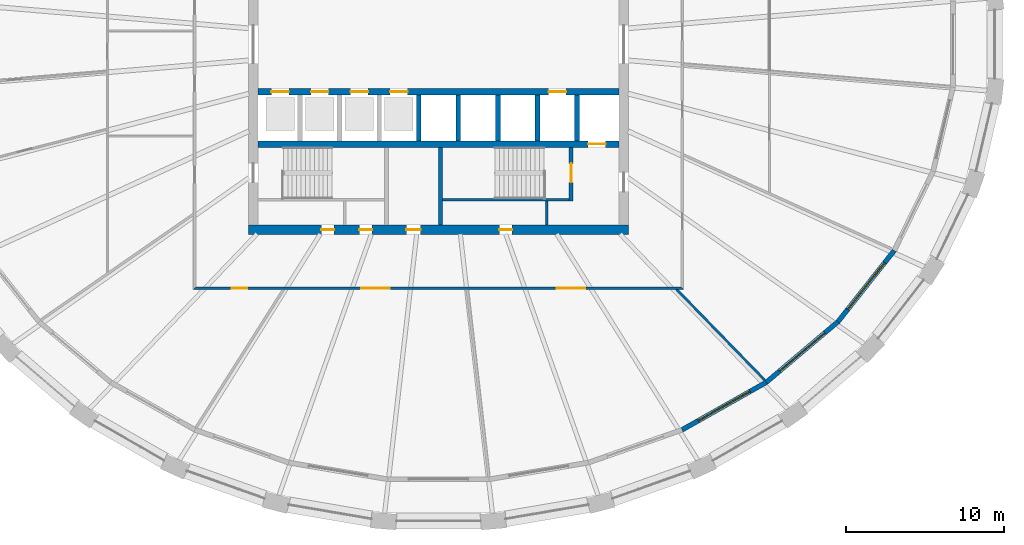
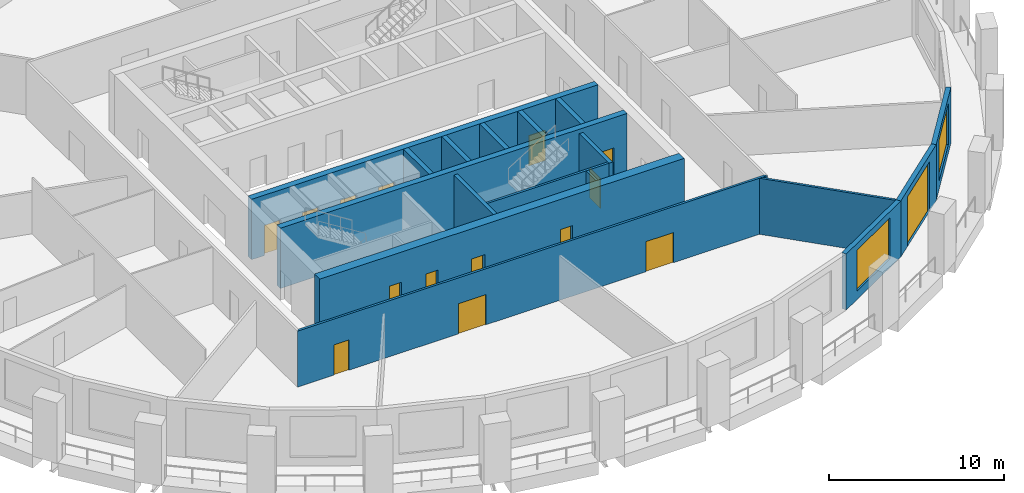
# One storey, part 4 of 10: 17 walls, 15 doors, 2 windows, 17 openings.
"""IFC4 building model written with IfcOpenShell, lengths in metres."""

from ifc_helpers import new_model, si_unit, direction, frame, frame_2d, origin, place, context, subcontext, project, spatial, polyline, rectangle, outline, extrude, material, layer, layer_set, type_object, element, fill, save


model = new_model("IFC4")

# Units and contexts
model_context = context("Model", 3, precision=1e-05, world=origin(), true_north=direction((0.0, 1.0)))
body_context = subcontext(model_context, "Body", "Model", "MODEL_VIEW")
ifc_project = project(units=[si_unit("LENGTHUNIT", "METRE"), si_unit("AREAUNIT", "SQUARE_METRE"), si_unit("VOLUMEUNIT", "CUBIC_METRE"), si_unit("PLANEANGLEUNIT", "RADIAN"), si_unit("MASSUNIT", "GRAM", prefix="KILO")], contexts=[model_context])

# Site, building, storey
site_placement = place(None, origin())
site = spatial("IfcSite", under=ifc_project, at=site_placement, CompositionType="ELEMENT")
building_placement = place(site_placement, origin())
building = spatial("IfcBuilding", under=site, at=building_placement, Name="Halqa Exchange Tower", CompositionType="ELEMENT")
storey_placement = place(building_placement, frame((0.0, 0.0, 108.699951171875)))
storey = spatial("IfcBuildingStorey", under=building, at=storey_placement, Name="L24", CompositionType="ELEMENT", Elevation=108.699951171875)

# Wall, openings, doors
ifc_material_1 = material(Name="Fire-rated gypsum board")
ifc_layer_1 = layer(ifc_material_1, 0.14990234375)
ifc_layer_set_1 = layer_set([ifc_layer_1], Name="Fire-rated gypsum board")
wall_type_1 = type_object("IfcWallType", Name="Fire partition EI 60 150", PredefinedType="PARTITIONING", material=ifc_layer_set_1)
wall_1_placement = place(storey_placement, frame((-15.47509765625, -15.39990234375, 0.0), z_axis=(0.0, 0.0, 1.0), x_axis=(1.0, 0.0, 0.0)))
wall_1 = element("IfcWall", 1, at=wall_1_placement, inside=storey, type_object=wall_type_1, Name="L24-PWL-009", PredefinedType="PARTITIONING", context=body_context, shape_type="SweptSolid", body=[
    extrude(outline(polyline([(0.000244140625, -0.074951171875), (1.9345703125, -0.074951171875), (3.868896484375, -0.074951171875), (5.80322265625, -0.074951171875), (7.73779296875, -0.074951171875), (9.672119140625, -0.074951171875), (11.6064453125, -0.074951171875), (13.540771484375, -0.074951171875), (15.47509765625, -0.074951171875), (17.409423828125, -0.074951171875), (19.34375, -0.074951171875), (21.278076171875, -0.074951171875), (23.21240234375, -0.074951171875), (25.14697265625, -0.074951171875), (27.081298828125, -0.074951171875), (29.015625, -0.074951171875), (30.949951171875, -0.074951171875), (30.800048828125, 0.074951171875), (28.884521484375, 0.074951171875), (26.96875, 0.074951171875), (25.05322265625, 0.074951171875), (23.1376953125, 0.074951171875), (21.221923828125, 0.074951171875), (19.306396484375, 0.074951171875), (17.390625, 0.074951171875), (15.47509765625, 0.074951171875), (13.5595703125, 0.074951171875), (11.643798828125, 0.074951171875), (9.728271484375, 0.074951171875), (7.8125, 0.074951171875), (5.89697265625, 0.074951171875), (3.9814453125, 0.074951171875), (2.065673828125, 0.074951171875), (0.150146484375, 0.074951171875), (0.000244140625, -0.074951171875)])), origin(), (0.0, 0.0, 1.0), 3.900146484375),
])
opening_1_placement = place(wall_1_placement, frame((2.405029296875, 0.0, 0.0)))
opening_1 = element("IfcOpeningElement", 2, at=opening_1_placement, cuts=wall_1, Name="Opening 07-08", PredefinedType="OPENING", context=body_context, shape_type="SweptSolid", body=[
    extrude(rectangle(XDim=1.0, YDim=2.10009765625, at=frame_2d((0.5, 1.050048828125))), frame((0.0, 0.0869140625, 0.0), z_axis=(0.0, -1.0, 0.0), x_axis=(1.0, 0.0, 0.0)), (0.0, 0.0, 1.0), 0.173828125),
])
opening_2_placement = place(wall_1_placement, frame((10.60498046875, 0.0, 0.0)))
opening_2 = element("IfcOpeningElement", 3, at=opening_2_placement, cuts=wall_1, Name="Opening 07-09", PredefinedType="OPENING", context=body_context, shape_type="SweptSolid", body=[
    extrude(rectangle(XDim=1.800048828125, YDim=2.10009765625, at=frame_2d((0.89990234375, 1.050048828125))), frame((0.0, 0.0869140625, 0.0), z_axis=(0.0, -1.0, 0.0), x_axis=(1.0, 0.0, 0.0)), (0.0, 0.0, 1.0), 0.173828125),
])
opening_3_placement = place(wall_1_placement, frame((22.955078125, 0.0, 0.0)))
opening_3 = element("IfcOpeningElement", 4, at=opening_3_placement, cuts=wall_1, Name="Opening 07-10", PredefinedType="OPENING", context=body_context, shape_type="SweptSolid", body=[
    extrude(rectangle(XDim=1.800048828125, YDim=2.10009765625, at=frame_2d((0.89990234375, 1.050048828125))), frame((0.0, 0.0869140625, 0.0), z_axis=(0.0, -1.0, 0.0), x_axis=(1.0, 0.0, 0.0)), (0.0, 0.0, 1.0), 0.173828125),
])
ifc_material_2 = material(Name="Steel fire door leaf", Category="steel")
door_type_1 = type_object("IfcDoorType", Name="Fire door FD30S 1000 x 2100", OperationType="SINGLE_SWING_LEFT", PredefinedType="DOOR", material=ifc_material_2)
door_1_placement = place(opening_1_placement, frame((1.0, 0.0, 0.0), z_axis=(0.0, 0.0, 1.0), x_axis=(-1.0, 0.0, 0.0)))
door_1 = element("IfcDoor", 5, at=door_1_placement, inside=storey, type_object=door_type_1, Name="L24-IDR-008", OperationType="SINGLE_SWING_RIGHT", OverallHeight=2.10009765625, OverallWidth=1.0, PredefinedType="DOOR", context=body_context, shape_type="SweptSolid", body=[
    extrude(rectangle(XDim=1.0, YDim=2.10009765625, at=frame_2d((0.5, 1.050048828125))), frame((0.0, 0.02490234375, 0.0), z_axis=(0.0, -1.0, 0.0), x_axis=(1.0, 0.0, 0.0)), (0.0, 0.0, 1.0), 0.050048828125),
])
fill(opening_1, door_1)
door_type_2 = type_object("IfcDoorType", Name="Fire door FD30S double 1800 x 2100", OperationType="DOUBLE_DOOR_SINGLE_SWING", PredefinedType="DOOR", material=ifc_material_2)
door_2_placement = place(opening_2_placement, frame((1.800048828125, 0.0, 0.0), z_axis=(0.0, 0.0, 1.0), x_axis=(-1.0, 0.0, 0.0)))
door_2 = element("IfcDoor", 6, at=door_2_placement, inside=storey, type_object=door_type_2, Name="L24-IDR-009", OperationType="DOUBLE_DOOR_SINGLE_SWING", OverallHeight=2.10009765625, OverallWidth=1.800048828125, PredefinedType="DOOR", context=body_context, shape_type="SweptSolid", body=[
    extrude(rectangle(XDim=1.800048828125, YDim=2.10009765625, at=frame_2d((0.89990234375, 1.050048828125))), frame((0.0, 0.02490234375, 0.0), z_axis=(0.0, -1.0, 0.0), x_axis=(1.0, 0.0, 0.0)), (0.0, 0.0, 1.0), 0.050048828125),
])
fill(opening_2, door_2)
door_3_placement = place(opening_3_placement, frame((1.800048828125, 0.0, 0.0), z_axis=(0.0, 0.0, 1.0), x_axis=(-1.0, 0.0, 0.0)))
door_3 = element("IfcDoor", 7, at=door_3_placement, inside=storey, type_object=door_type_2, Name="L24-IDR-010", OperationType="DOUBLE_DOOR_SINGLE_SWING", OverallHeight=2.10009765625, OverallWidth=1.800048828125, PredefinedType="DOOR", context=body_context, shape_type="SweptSolid", body=[
    extrude(rectangle(XDim=1.800048828125, YDim=2.10009765625, at=frame_2d((0.89990234375, 1.050048828125))), frame((0.0, 0.02490234375, 0.0), z_axis=(0.0, -1.0, 0.0), x_axis=(1.0, 0.0, 0.0)), (0.0, 0.0, 1.0), 0.050048828125),
])
fill(opening_3, door_3)

# Walls
wall_2_placement = place(storey_placement, frame((14.982421875, -15.4228515625, 0.0), z_axis=(0.0, 0.0, 1.0), x_axis=(0.696915710248, -0.717153046992, 0.0)))
element("IfcWall", 8, at=wall_2_placement, inside=storey, type_object=wall_type_1, Name="L24-PWL-016", PredefinedType="PARTITIONING", context=body_context, shape_type="SweptSolid", body=[
    extrude(outline(polyline([(8.05859375, 0.074951171875), (6.080322265625, 0.074951171875), (4.10205078125, 0.074951171875), (2.123779296875, 0.074951171875), (0.1455078125, 0.074951171875), (0.0, -0.07470703125), (0.0, -0.074951171875), (1.61181640625, -0.074951171875), (3.223388671875, -0.074951171875), (4.835205078125, -0.074951171875), (6.44677734375, -0.074951171875), (8.05859375, -0.074951171875), (8.05859375, 0.074951171875)])), origin(), (0.0, 0.0, 1.0), 3.900146484375),
])
ifc_material_3 = material(Name="Gypsum board")
ifc_layer_2 = layer(ifc_material_3, 0.14990234375)
ifc_layer_set_2 = layer_set([ifc_layer_2], Name="Gypsum board")
wall_type_2 = type_object("IfcWallType", Name="Penthouse riser wall 150 gypsum", PredefinedType="PARTITIONING", material=ifc_layer_set_2)
wall_3_placement = place(storey_placement, frame((6.824951171875, -11.39990234375, 0.0), z_axis=(0.0, 0.0, 1.0), x_axis=(0.0, 1.0, 0.0)))
element("IfcWall", 9, at=wall_3_placement, inside=storey, type_object=wall_type_2, Name="Firefighting lobby west wall S", PredefinedType="PARTITIONING", context=body_context, shape_type="SweptSolid", body=[
    extrude(rectangle(XDim=1.5, YDim=0.14990234375, at=frame_2d((0.75, 0.0))), origin(), (0.0, 0.0, 1.0), 3.900146484375),
])
ifc_material_4 = material(Name="Concrete C60/75", Category="concrete")
ifc_layer_3 = layer(ifc_material_4, 0.300048828125)
ifc_layer_set_3 = layer_set([ifc_layer_3], Name="Concrete C60/75")
wall_type_3 = type_object("IfcWallType", Name="RC core wall 300", PredefinedType="SHEAR", material=ifc_layer_set_3)
for number, where, z_axis, x_axis, name in (
    (10, (-1.25, -6.10009765625, 0.0), (0.0, 0.0, 1.0), (0.0, 1.0, 0.0), "Shaft divider S4"),
    (11, (1.25, -6.10009765625, 0.0), (0.0, 0.0, 1.0), (0.0, 1.0, 0.0), "Shaft divider S5"),
    (12, (3.75, -6.10009765625, 0.0), (0.0, 0.0, 1.0), (0.0, 1.0, 0.0), "Shaft divider S6"),
    (13, (6.25, -6.10009765625, 0.0), (0.0, 0.0, 1.0), (0.0, 1.0, 0.0), "Shaft divider S7"),
    (14, (8.75, -6.10009765625, 0.0), (0.0, 0.0, 1.0), (0.0, 1.0, 0.0), "Shaft divider S8"),
):
    element("IfcWall", number, at=place(storey_placement, frame(where, z_axis=z_axis, x_axis=x_axis)), inside=storey, type_object=wall_type_3, Name=name, PredefinedType="SHEAR", context=body_context, shape_type="SweptSolid", body=[
        extrude(rectangle(XDim=2.900146484375, YDim=0.300048828125, at=frame_2d((1.4501953125, 0.0))), origin(), (0.0, 0.0, 1.0), 4.199951171875),
    ])

# Wall, openings, doors
ifc_material_5 = material(Name="Concrete C70/85", Category="concrete")
ifc_layer_4 = layer(ifc_material_5, 0.39990234375)
ifc_layer_set_4 = layer_set([ifc_layer_4], Name="Concrete C70/85")
wall_type_4 = type_object("IfcWallType", Name="RC core wall 400 C70/85", PredefinedType="SHEAR", material=ifc_layer_set_4)
wall_4_placement = place(storey_placement, frame((-11.39990234375, -3.0, 0.0), z_axis=(0.0, 0.0, 1.0), x_axis=(1.0, 0.0, 0.0)))
wall_4 = element("IfcWall", 15, at=wall_4_placement, inside=storey, type_object=wall_type_4, Name="Lift row front wall S", PredefinedType="SHEAR", context=body_context, shape_type="SweptSolid", body=[
    extrude(rectangle(XDim=22.7998046875, YDim=0.39990234375, at=frame_2d((11.39990234375, 0.0))), origin(), (0.0, 0.0, 1.0), 4.199951171875),
])
opening_4_placement = place(wall_4_placement, frame((0.85009765625, 0.0, 0.0)))
opening_4 = element("IfcOpeningElement", 16, at=opening_4_placement, cuts=wall_4, Name="Opening LD-LR5-T07", PredefinedType="OPENING", context=body_context, shape_type="SweptSolid", body=[
    extrude(rectangle(XDim=1.10009765625, YDim=2.10009765625, at=frame_2d((0.550048828125, 1.050048828125))), frame((0.0, 0.2119140625, 0.0), z_axis=(0.0, -1.0, 0.0), x_axis=(1.0, 0.0, 0.0)), (0.0, 0.0, 1.0), 0.423828125),
])
opening_5_placement = place(wall_4_placement, frame((3.35009765625, 0.0, 0.0)))
opening_5 = element("IfcOpeningElement", 17, at=opening_5_placement, cuts=wall_4, Name="Opening LD-LR6-T07", PredefinedType="OPENING", context=body_context, shape_type="SweptSolid", body=[
    extrude(rectangle(XDim=1.10009765625, YDim=2.10009765625, at=frame_2d((0.550048828125, 1.050048828125))), frame((0.0, 0.2119140625, 0.0), z_axis=(0.0, -1.0, 0.0), x_axis=(1.0, 0.0, 0.0)), (0.0, 0.0, 1.0), 0.423828125),
])
opening_6_placement = place(wall_4_placement, frame((5.85009765625, 0.0, 0.0)))
opening_6 = element("IfcOpeningElement", 18, at=opening_6_placement, cuts=wall_4, Name="Opening LD-LR7-T07", PredefinedType="OPENING", context=body_context, shape_type="SweptSolid", body=[
    extrude(rectangle(XDim=1.10009765625, YDim=2.10009765625, at=frame_2d((0.550048828125, 1.050048828125))), frame((0.0, 0.2119140625, 0.0), z_axis=(0.0, -1.0, 0.0), x_axis=(1.0, 0.0, 0.0)), (0.0, 0.0, 1.0), 0.423828125),
])
opening_7_placement = place(wall_4_placement, frame((8.35009765625, 0.0, 0.0)))
opening_7 = element("IfcOpeningElement", 19, at=opening_7_placement, cuts=wall_4, Name="Opening LD-LR8-T07", PredefinedType="OPENING", context=body_context, shape_type="SweptSolid", body=[
    extrude(rectangle(XDim=1.10009765625, YDim=2.10009765625, at=frame_2d((0.550048828125, 1.050048828125))), frame((0.0, 0.2119140625, 0.0), z_axis=(0.0, -1.0, 0.0), x_axis=(1.0, 0.0, 0.0)), (0.0, 0.0, 1.0), 0.423828125),
])
opening_8_placement = place(wall_4_placement, frame((18.35009765625, 0.0, 0.0)))
opening_8 = element("IfcOpeningElement", 20, at=opening_8_placement, cuts=wall_4, Name="Opening LD-SV2-T07", PredefinedType="OPENING", context=body_context, shape_type="SweptSolid", body=[
    extrude(rectangle(XDim=1.10009765625, YDim=2.10009765625, at=frame_2d((0.550048828125, 1.050048828125))), frame((0.0, 0.2119140625, 0.0), z_axis=(0.0, -1.0, 0.0), x_axis=(1.0, 0.0, 0.0)), (0.0, 0.0, 1.0), 0.423828125),
])
ifc_material_6 = material(Name="Stainless steel", Category="steel")
door_type_3 = type_object("IfcDoorType", Name="Lift landing door 1100 x 2100", OperationType="SLIDING_TO_LEFT", PredefinedType="DOOR", material=ifc_material_6)
door_4_placement = place(opening_4_placement, origin())
door_4 = element("IfcDoor", 21, at=door_4_placement, inside=storey, type_object=door_type_3, Name="Lift landing door LR5", OperationType="SLIDING_TO_LEFT", OverallHeight=2.10009765625, OverallWidth=1.10009765625, PredefinedType="DOOR", context=body_context, shape_type="SweptSolid", body=[
    extrude(rectangle(XDim=1.10009765625, YDim=2.10009765625, at=frame_2d((0.550048828125, 1.050048828125))), frame((0.0, 0.02490234375, 0.0), z_axis=(0.0, -1.0, 0.0), x_axis=(1.0, 0.0, 0.0)), (0.0, 0.0, 1.0), 0.050048828125),
])
fill(opening_4, door_4)
door_5_placement = place(opening_5_placement, origin())
door_5 = element("IfcDoor", 22, at=door_5_placement, inside=storey, type_object=door_type_3, Name="Lift landing door LR6", OperationType="SLIDING_TO_LEFT", OverallHeight=2.10009765625, OverallWidth=1.10009765625, PredefinedType="DOOR", context=body_context, shape_type="SweptSolid", body=[
    extrude(rectangle(XDim=1.10009765625, YDim=2.10009765625, at=frame_2d((0.550048828125, 1.050048828125))), frame((0.0, 0.02490234375, 0.0), z_axis=(0.0, -1.0, 0.0), x_axis=(1.0, 0.0, 0.0)), (0.0, 0.0, 1.0), 0.050048828125),
])
fill(opening_5, door_5)
door_6_placement = place(opening_6_placement, origin())
door_6 = element("IfcDoor", 23, at=door_6_placement, inside=storey, type_object=door_type_3, Name="Lift landing door LR7", OperationType="SLIDING_TO_LEFT", OverallHeight=2.10009765625, OverallWidth=1.10009765625, PredefinedType="DOOR", context=body_context, shape_type="SweptSolid", body=[
    extrude(rectangle(XDim=1.10009765625, YDim=2.10009765625, at=frame_2d((0.550048828125, 1.050048828125))), frame((0.0, 0.02490234375, 0.0), z_axis=(0.0, -1.0, 0.0), x_axis=(1.0, 0.0, 0.0)), (0.0, 0.0, 1.0), 0.050048828125),
])
fill(opening_6, door_6)
door_7_placement = place(opening_7_placement, origin())
door_7 = element("IfcDoor", 24, at=door_7_placement, inside=storey, type_object=door_type_3, Name="Lift landing door LR8", OperationType="SLIDING_TO_LEFT", OverallHeight=2.10009765625, OverallWidth=1.10009765625, PredefinedType="DOOR", context=body_context, shape_type="SweptSolid", body=[
    extrude(rectangle(XDim=1.10009765625, YDim=2.10009765625, at=frame_2d((0.550048828125, 1.050048828125))), frame((0.0, 0.02490234375, 0.0), z_axis=(0.0, -1.0, 0.0), x_axis=(1.0, 0.0, 0.0)), (0.0, 0.0, 1.0), 0.050048828125),
])
fill(opening_7, door_7)
door_8_placement = place(opening_8_placement, origin())
door_8 = element("IfcDoor", 25, at=door_8_placement, inside=storey, type_object=door_type_3, Name="Lift landing door SV2", OperationType="SLIDING_TO_LEFT", OverallHeight=2.10009765625, OverallWidth=1.10009765625, PredefinedType="DOOR", context=body_context, shape_type="SweptSolid", body=[
    extrude(rectangle(XDim=1.10009765625, YDim=2.10009765625, at=frame_2d((0.550048828125, 1.050048828125))), frame((0.0, 0.02490234375, 0.0), z_axis=(0.0, -1.0, 0.0), x_axis=(1.0, 0.0, 0.0)), (0.0, 0.0, 1.0), 0.050048828125),
])
fill(opening_8, door_8)

# Wall, opening, door
wall_5_placement = place(storey_placement, frame((-11.39990234375, -6.300048828125, 0.0), z_axis=(0.0, 0.0, 1.0), x_axis=(1.0, 0.0, 0.0)))
wall_5 = element("IfcWall", 26, at=wall_5_placement, inside=storey, type_object=wall_type_4, Name="Lift row back wall S", PredefinedType="SHEAR", context=body_context, shape_type="SweptSolid", body=[
    extrude(rectangle(XDim=22.7998046875, YDim=0.39990234375, at=frame_2d((11.39990234375, 0.0))), origin(), (0.0, 0.0, 1.0), 4.199951171875),
])
opening_9_placement = place(wall_5_placement, frame((20.85009765625, 0.0, 0.0)))
opening_9 = element("IfcOpeningElement", 27, at=opening_9_placement, cuts=wall_5, Name="Opening LD-FF2-T07", PredefinedType="OPENING", context=body_context, shape_type="SweptSolid", body=[
    extrude(rectangle(XDim=1.10009765625, YDim=2.10009765625, at=frame_2d((0.550048828125, 1.050048828125))), frame((0.0, 0.2119140625, 0.0), z_axis=(0.0, -1.0, 0.0), x_axis=(1.0, 0.0, 0.0)), (0.0, 0.0, 1.0), 0.423828125),
])
door_9_placement = place(opening_9_placement, origin())
door_9 = element("IfcDoor", 28, at=door_9_placement, inside=storey, type_object=door_type_3, Name="Lift landing door FF2", OperationType="SLIDING_TO_LEFT", OverallHeight=2.10009765625, OverallWidth=1.10009765625, PredefinedType="DOOR", context=body_context, shape_type="SweptSolid", body=[
    extrude(rectangle(XDim=1.10009765625, YDim=2.10009765625, at=frame_2d((0.550048828125, 1.050048828125))), frame((0.0, 0.02490234375, 0.0), z_axis=(0.0, -1.0, 0.0), x_axis=(1.0, 0.0, 0.0)), (0.0, 0.0, 1.0), 0.050048828125),
])
fill(opening_9, door_9)

# Wall, openings, doors
ifc_layer_5 = layer(ifc_material_5, 0.60009765625)
ifc_layer_set_5 = layer_set([ifc_layer_5], Name="Concrete C70/85")
wall_type_5 = type_object("IfcWallType", Name="RC core wall 600 C70/85", PredefinedType="SHEAR", material=ifc_layer_set_5)
wall_6_placement = place(storey_placement, frame((-12.0, -11.699951171875, 0.0), z_axis=(0.0, 0.0, 1.0), x_axis=(1.0, 0.0, 0.0)))
wall_6 = element("IfcWall", 29, at=wall_6_placement, inside=storey, type_object=wall_type_5, Name="Core wall south", PredefinedType="SHEAR", context=body_context, shape_type="SweptSolid", body=[
    extrude(rectangle(XDim=24.0, YDim=0.60009765625, at=frame_2d((12.0, 0.0))), origin(), (0.0, 0.0, 1.0), 4.199951171875),
])
opening_10_placement = place(wall_6_placement, frame((9.97509765625, 0.0, 0.0)))
opening_10 = element("IfcOpeningElement", 30, at=opening_10_placement, cuts=wall_6, Name="Opening T07-C25", PredefinedType="OPENING", context=body_context, shape_type="SweptSolid", body=[
    extrude(rectangle(XDim=0.89990234375, YDim=2.10009765625, at=frame_2d((0.449951171875, 1.050048828125))), frame((0.0, 0.31201171875, 0.0), z_axis=(0.0, -1.0, 0.0), x_axis=(1.0, 0.0, 0.0)), (0.0, 0.0, 1.0), 0.6240234375),
])
opening_11_placement = place(wall_6_placement, frame((4.60009765625, 0.0, 0.0)))
opening_11 = element("IfcOpeningElement", 31, at=opening_11_placement, cuts=wall_6, Name="Opening T07-C26", PredefinedType="OPENING", context=body_context, shape_type="SweptSolid", body=[
    extrude(rectangle(XDim=0.800048828125, YDim=2.10009765625, at=frame_2d((0.39990234375, 1.050048828125))), frame((0.0, 0.31201171875, 0.0), z_axis=(0.0, -1.0, 0.0), x_axis=(1.0, 0.0, 0.0)), (0.0, 0.0, 1.0), 0.6240234375),
])
opening_12_placement = place(wall_6_placement, frame((7.0, 0.0, 0.0)))
opening_12 = element("IfcOpeningElement", 32, at=opening_12_placement, cuts=wall_6, Name="Opening T07-C27", PredefinedType="OPENING", context=body_context, shape_type="SweptSolid", body=[
    extrude(rectangle(XDim=0.800048828125, YDim=2.10009765625, at=frame_2d((0.39990234375, 1.050048828125))), frame((0.0, 0.31201171875, 0.0), z_axis=(0.0, -1.0, 0.0), x_axis=(1.0, 0.0, 0.0)), (0.0, 0.0, 1.0), 0.6240234375),
])
opening_13_placement = place(wall_6_placement, frame((15.85009765625, 0.0, 0.0)))
opening_13 = element("IfcOpeningElement", 33, at=opening_13_placement, cuts=wall_6, Name="Opening T07-C28", PredefinedType="OPENING", context=body_context, shape_type="SweptSolid", body=[
    extrude(rectangle(XDim=0.800048828125, YDim=2.10009765625, at=frame_2d((0.39990234375, 1.050048828125))), frame((0.0, 0.31201171875, 0.0), z_axis=(0.0, -1.0, 0.0), x_axis=(1.0, 0.0, 0.0)), (0.0, 0.0, 1.0), 0.6240234375),
])
ifc_material_7 = material(Name="Timber fire door leaf", Category="wood")
door_type_4 = type_object("IfcDoorType", Name="Core room door FD30 900 x 2100", OperationType="SINGLE_SWING_LEFT", PredefinedType="DOOR", material=ifc_material_7)
door_10_placement = place(opening_10_placement, origin())
door_10 = element("IfcDoor", 34, at=door_10_placement, inside=storey, type_object=door_type_4, Name="Core room door", OperationType="SINGLE_SWING_LEFT", OverallHeight=2.10009765625, OverallWidth=0.89990234375, PredefinedType="DOOR", context=body_context, shape_type="SweptSolid", body=[
    extrude(rectangle(XDim=0.89990234375, YDim=2.10009765625, at=frame_2d((0.449951171875, 1.050048828125))), frame((0.0, 0.02490234375, 0.0), z_axis=(0.0, -1.0, 0.0), x_axis=(1.0, 0.0, 0.0)), (0.0, 0.0, 1.0), 0.050048828125),
])
fill(opening_10, door_10)
door_type_5 = type_object("IfcDoorType", Name="Riser door FD60 800 x 2100", OperationType="SINGLE_SWING_LEFT", PredefinedType="DOOR", material=ifc_material_2)
door_11_placement = place(opening_11_placement, origin())
door_11 = element("IfcDoor", 35, at=door_11_placement, inside=storey, type_object=door_type_5, Name="Core room door", OperationType="SINGLE_SWING_LEFT", OverallHeight=2.10009765625, OverallWidth=0.800048828125, PredefinedType="DOOR", context=body_context, shape_type="SweptSolid", body=[
    extrude(rectangle(XDim=0.800048828125, YDim=2.10009765625, at=frame_2d((0.39990234375, 1.050048828125))), frame((0.0, 0.02490234375, 0.0), z_axis=(0.0, -1.0, 0.0), x_axis=(1.0, 0.0, 0.0)), (0.0, 0.0, 1.0), 0.050048828125),
])
fill(opening_11, door_11)
door_12_placement = place(opening_12_placement, origin())
door_12 = element("IfcDoor", 36, at=door_12_placement, inside=storey, type_object=door_type_5, Name="Core room door", OperationType="SINGLE_SWING_LEFT", OverallHeight=2.10009765625, OverallWidth=0.800048828125, PredefinedType="DOOR", context=body_context, shape_type="SweptSolid", body=[
    extrude(rectangle(XDim=0.800048828125, YDim=2.10009765625, at=frame_2d((0.39990234375, 1.050048828125))), frame((0.0, 0.02490234375, 0.0), z_axis=(0.0, -1.0, 0.0), x_axis=(1.0, 0.0, 0.0)), (0.0, 0.0, 1.0), 0.050048828125),
])
fill(opening_12, door_12)
door_13_placement = place(opening_13_placement, origin())
door_13 = element("IfcDoor", 37, at=door_13_placement, inside=storey, type_object=door_type_5, Name="Core room door", OperationType="SINGLE_SWING_LEFT", OverallHeight=2.10009765625, OverallWidth=0.800048828125, PredefinedType="DOOR", context=body_context, shape_type="SweptSolid", body=[
    extrude(rectangle(XDim=0.800048828125, YDim=2.10009765625, at=frame_2d((0.39990234375, 1.050048828125))), frame((0.0, 0.02490234375, 0.0), z_axis=(0.0, -1.0, 0.0), x_axis=(1.0, 0.0, 0.0)), (0.0, 0.0, 1.0), 0.050048828125),
])
fill(opening_13, door_13)

# Walls
ifc_material_8 = material(Name="Concrete C30/37", Category="concrete")
ifc_layer_6 = layer(ifc_material_8, 0.14990234375)
ifc_layer_set_6 = layer_set([ifc_layer_6], Name="Concrete C30/37")
wall_type_6 = type_object("IfcWallType", Name="RC stair wall 150 C30/37", PredefinedType="SHEAR", material=ifc_layer_set_6)
wall_7_placement = place(storey_placement, frame((0.25, -9.824951171875, 0.0), z_axis=(0.0, 0.0, 1.0), x_axis=(1.0, 0.0, 0.0)))
element("IfcWall", 38, at=wall_7_placement, inside=storey, type_object=wall_type_6, Name="Stair ST2 north wall S", PredefinedType="SHEAR", context=body_context, shape_type="SweptSolid", body=[
    extrude(rectangle(XDim=8.0, YDim=0.14990234375, at=frame_2d((4.0, 0.0))), origin(), (0.0, 0.0, 1.0), 3.900146484375),
])
ifc_layer_7 = layer(ifc_material_8, 0.25)
ifc_layer_set_7 = layer_set([ifc_layer_7], Name="Concrete C30/37")
wall_type_7 = type_object("IfcWallType", Name="RC stair wall 250 C30/37", PredefinedType="SHEAR", material=ifc_layer_set_7)
wall_8_placement = place(storey_placement, frame((0.125, -11.39990234375, 0.0), z_axis=(0.0, 0.0, 1.0), x_axis=(0.0, 1.0, 0.0)))
element("IfcWall", 39, at=wall_8_placement, inside=storey, type_object=wall_type_7, Name="Stair ST2 west wall S", PredefinedType="SHEAR", context=body_context, shape_type="SweptSolid", body=[
    extrude(rectangle(XDim=4.89990234375, YDim=0.25, at=frame_2d((2.449951171875, 0.0))), origin(), (0.0, 0.0, 1.0), 3.900146484375),
])

# Wall, opening, door
wall_9_placement = place(storey_placement, frame((8.375, -9.89990234375, 0.0), z_axis=(0.0, 0.0, 1.0), x_axis=(0.0, 1.0, 0.0)))
wall_9 = element("IfcWall", 40, at=wall_9_placement, inside=storey, type_object=wall_type_7, Name="Stair ST2 east wall S", PredefinedType="SHEAR", context=body_context, shape_type="SweptSolid", body=[
    extrude(rectangle(XDim=3.39990234375, YDim=0.25, at=frame_2d((1.699951171875, 0.0))), origin(), (0.0, 0.0, 1.0), 3.900146484375),
])
opening_14_placement = place(wall_9_placement, frame((1.175048828125, 0.0, 0.0)))
opening_14 = element("IfcOpeningElement", 41, at=opening_14_placement, cuts=wall_9, Name="Opening T07-C18", PredefinedType="OPENING", context=body_context, shape_type="SweptSolid", body=[
    extrude(rectangle(XDim=1.199951171875, YDim=2.10009765625, at=frame_2d((0.60009765625, 1.050048828125))), frame((0.0, 0.136962890625, 0.0), z_axis=(0.0, -1.0, 0.0), x_axis=(1.0, 0.0, 0.0)), (0.0, 0.0, 1.0), 0.27392578125),
])
door_type_6 = type_object("IfcDoorType", Name="Stair door FD90 1200 x 2100", OperationType="SINGLE_SWING_LEFT", PredefinedType="DOOR", material=ifc_material_2)
door_14_placement = place(opening_14_placement, origin())
door_14 = element("IfcDoor", 42, at=door_14_placement, inside=storey, type_object=door_type_6, Name="Stair door ST4", OperationType="SINGLE_SWING_LEFT", OverallHeight=2.10009765625, OverallWidth=1.199951171875, PredefinedType="DOOR", context=body_context, shape_type="SweptSolid", body=[
    extrude(rectangle(XDim=1.199951171875, YDim=2.10009765625, at=frame_2d((0.60009765625, 1.050048828125))), frame((0.0, 0.02490234375, 0.0), z_axis=(0.0, -1.0, 0.0), x_axis=(1.0, 0.0, 0.0)), (0.0, 0.0, 1.0), 0.050048828125),
])
fill(opening_14, door_14)

# Wall, opening, window
ifc_material_9 = material(Name="Limestone cladding", Category="masonry")
ifc_layer_8 = layer(ifc_material_9, 0.0400390625)
ifc_material_10 = material(Name="Ventilated cavity")
ifc_layer_9 = layer(ifc_material_10, 0.030029296875, ventilated=True)
ifc_material_11 = material(Name="Mineral wool insulation")
ifc_layer_10 = layer(ifc_material_11, 0.10009765625)
ifc_layer_11 = layer(ifc_material_8, 0.10009765625)
ifc_material_12 = material(Name="Internal plaster")
ifc_layer_12 = layer(ifc_material_12, 0.030029296875)
ifc_layer_set_8 = layer_set([ifc_layer_8, ifc_layer_9, ifc_layer_10, ifc_layer_11, ifc_layer_12], Name="Stone-faced insulated wall 300")
wall_type_8 = type_object("IfcWallType", Name="Stone-faced insulated wall 300", PredefinedType="STANDARD", material=ifc_layer_set_8)
wall_10_placement = place(storey_placement, frame((15.37744140625, -24.34423828125, 0.0), z_axis=(0.0, 0.0, 1.0), x_axis=(0.870828448417, 0.491587035455, 0.0)))
wall_10 = element("IfcWall", 43, at=wall_10_placement, inside=storey, type_object=wall_type_8, Name="Glass-line wall 27", PredefinedType="STANDARD", context=body_context, shape_type="SweptSolid", body=[
    extrude(outline(polyline([(-0.013427734375, -0.14990234375), (6.122802734375, -0.14990234375), (6.094482421875, 0.14990234375), (0.013427734375, 0.14990234375), (-0.013427734375, -0.14990234375)])), origin(), (0.0, 0.0, 1.0), 3.900146484375),
])
opening_15_placement = place(wall_10_placement, frame((1.17919921875, 0.0, 0.60009765625)))
opening_15 = element("IfcOpeningElement", 44, at=opening_15_placement, cuts=wall_10, Name="Opening W-F2-27", PredefinedType="OPENING", context=body_context, shape_type="SweptSolid", body=[
    extrude(rectangle(XDim=3.75, YDim=2.85009765625, at=frame_2d((1.875, 1.425048828125))), frame((0.0, 0.162109375, 0.0), z_axis=(0.0, -1.0, 0.0), x_axis=(1.0, 0.0, 0.0)), (0.0, 0.0, 1.0), 0.323974609375),
])
ifc_material_13 = material(Name="Clear low-emissivity glass in aluminium frame", Category="aluminium")
window_type = type_object("IfcWindowType", Name="Fixed clear glazed window 3750 x 2850", PartitioningType="TRIPLE_PANEL_VERTICAL", PredefinedType="WINDOW", material=ifc_material_13)
window_1_placement = place(opening_15_placement, origin())
window_1 = element("IfcWindow", 45, at=window_1_placement, inside=storey, type_object=window_type, Name="Window 2", OverallHeight=2.85009765625, OverallWidth=3.75, PartitioningType="TRIPLE_PANEL_VERTICAL", PredefinedType="WINDOW", context=body_context, shape_type="SweptSolid", body=[
    extrude(rectangle(XDim=3.75, YDim=2.85009765625, at=frame_2d((1.875, 1.425048828125))), frame((0.0, 0.030029296875, 0.0), z_axis=(0.0, -1.0, 0.0), x_axis=(1.0, 0.0, 0.0)), (0.0, 0.0, 1.0), 0.06005859375),
])
fill(opening_15, window_1)

# Wall, opening, door
wall_11_placement = place(storey_placement, frame((20.697021484375, -21.34130859375, 0.0), z_axis=(0.0, 0.0, 1.0), x_axis=(0.763894031266, 0.645341699409, 0.0)))
wall_11 = element("IfcWall", 46, at=wall_11_placement, inside=storey, type_object=wall_type_8, Name="Glass-line wall 28", PredefinedType="STANDARD", context=body_context, shape_type="SweptSolid", body=[
    extrude(outline(polyline([(-0.01416015625, -0.14990234375), (5.93994140625, -0.14990234375), (5.90966796875, 0.14990234375), (0.01416015625, 0.14990234375), (-0.01416015625, -0.14990234375)])), origin(), (0.0, 0.0, 1.0), 3.900146484375),
])
opening_16_placement = place(wall_11_placement, frame((1.08740234375, 0.0, 0.0)))
opening_16 = element("IfcOpeningElement", 47, at=opening_16_placement, cuts=wall_11, Name="Opening LG-F2-07", PredefinedType="OPENING", context=body_context, shape_type="SweptSolid", body=[
    extrude(rectangle(XDim=3.75, YDim=3.449951171875, at=frame_2d((1.875, 1.72509765625))), frame((0.0, 0.162109375, 0.0), z_axis=(0.0, -1.0, 0.0), x_axis=(1.0, 0.0, 0.0)), (0.0, 0.0, 1.0), 0.323974609375),
])
door_type_7 = type_object("IfcDoorType", Name="Glazed sliding loggia door 3750 x 3450", OperationType="DOUBLE_DOOR_SLIDING", PredefinedType="DOOR", material=ifc_material_13)
door_15_placement = place(opening_16_placement, origin())
door_15 = element("IfcDoor", 48, at=door_15_placement, inside=storey, type_object=door_type_7, Name="Loggia door 7", OperationType="DOUBLE_DOOR_SLIDING", OverallHeight=3.449951171875, OverallWidth=3.75, PredefinedType="DOOR", context=body_context, shape_type="SweptSolid", body=[
    extrude(rectangle(XDim=3.75, YDim=3.449951171875, at=frame_2d((1.875, 1.72509765625))), frame((0.0, 0.02490234375, 0.0), z_axis=(0.0, -1.0, 0.0), x_axis=(1.0, 0.0, 0.0)), (0.0, 0.0, 1.0), 0.050048828125),
])
fill(opening_16, door_15)

# Wall, opening, window
wall_12_placement = place(storey_placement, frame((25.222900390625, -17.517822265625, 0.0), z_axis=(0.0, 0.0, 1.0), x_axis=(0.620329992039, 0.784340934146, 0.0)))
wall_12 = element("IfcWall", 49, at=wall_12_placement, inside=storey, type_object=wall_type_8, Name="Glass-line wall 29", PredefinedType="STANDARD", context=body_context, shape_type="SweptSolid", body=[
    extrude(outline(polyline([(-0.01513671875, -0.14990234375), (5.75146484375, -0.14990234375), (5.71923828125, 0.14990234375), (0.01513671875, 0.14990234375), (-0.01513671875, -0.14990234375)])), origin(), (0.0, 0.0, 1.0), 3.900146484375),
])
opening_17_placement = place(wall_12_placement, frame((0.99267578125, 0.0, 0.60009765625)))
opening_17 = element("IfcOpeningElement", 50, at=opening_17_placement, cuts=wall_12, Name="Opening W-F2-29", PredefinedType="OPENING", context=body_context, shape_type="SweptSolid", body=[
    extrude(rectangle(XDim=3.75, YDim=2.85009765625, at=frame_2d((1.875, 1.425048828125))), frame((0.0, 0.162109375, 0.0), z_axis=(0.0, -1.0, 0.0), x_axis=(1.0, 0.0, 0.0)), (0.0, 0.0, 1.0), 0.323974609375),
])
window_2_placement = place(opening_17_placement, origin())
window_2 = element("IfcWindow", 51, at=window_2_placement, inside=storey, type_object=window_type, Name="Window 2", OverallHeight=2.85009765625, OverallWidth=3.75, PartitioningType="TRIPLE_PANEL_VERTICAL", PredefinedType="WINDOW", context=body_context, shape_type="SweptSolid", body=[
    extrude(rectangle(XDim=3.75, YDim=2.85009765625, at=frame_2d((1.875, 1.425048828125))), frame((0.0, 0.030029296875, 0.0), z_axis=(0.0, -1.0, 0.0), x_axis=(1.0, 0.0, 0.0)), (0.0, 0.0, 1.0), 0.06005859375),
])
fill(opening_17, window_2)

save(model, "model.ifc")
